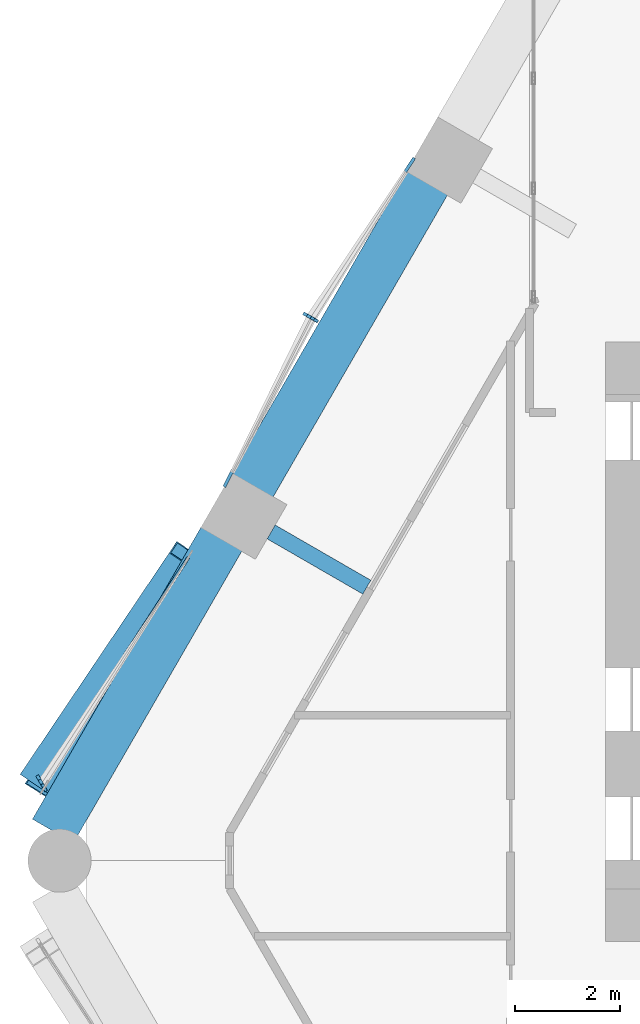
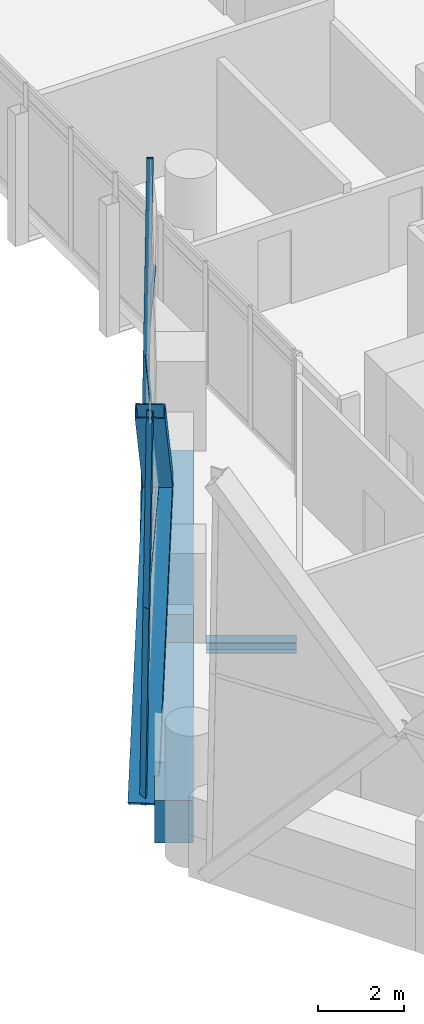
# One storey, part 16 of 38: 9 members, 3 beams, 2 elements without a shape of their own.
"""IFC4 building model written with IfcOpenShell, lengths in metres."""

from ifc_helpers import new_model, si_unit, direction, frame, origin, origin_2d, place, context, subcontext, project, spatial, rectangle, hollow_rectangle, i_section, extrude, material, material_profile, profile_set, type_object, element, aggregate, save


model = new_model("IFC4")

# Units and contexts
model_context = context("Model", 3, precision=1e-05, world=origin(), true_north=direction((0.0, 1.0)))
body_context = subcontext(model_context, "Body", "Model", "MODEL_VIEW")
ifc_project = project(units=[si_unit("LENGTHUNIT", "METRE"), si_unit("AREAUNIT", "SQUARE_METRE"), si_unit("VOLUMEUNIT", "CUBIC_METRE"), si_unit("PLANEANGLEUNIT", "RADIAN"), si_unit("MASSUNIT", "GRAM", prefix="KILO")], contexts=[model_context])

# Site, building, storey
site_placement = place(None, origin())
site = spatial("IfcSite", under=ifc_project, at=site_placement, CompositionType="ELEMENT")
building_placement = place(site_placement, origin())
building = spatial("IfcBuilding", under=site, at=building_placement, Name="Ostrander Bayou Hotel Tower", CompositionType="ELEMENT")
storey_placement = place(building_placement, frame((0.0, 0.0, 96.75)))
storey = spatial("IfcBuildingStorey", under=building, at=storey_placement, Name="L24", CompositionType="ELEMENT", Elevation=96.75)

# Curtain wall, members
ifc_material_1 = material(Name="Aluminium and clear glass", Category="aluminium")
curtain_wall_type = type_object("IfcCurtainWallType", Name="CW-LAT lattice glazing", PredefinedType="NOTDEFINED", material=ifc_material_1)
curtain_wall_1_placement = place(storey_placement, origin())
curtain_wall_1 = element("IfcCurtainWall", 1, at=curtain_wall_1_placement, inside=storey, type_object=curtain_wall_type, Name="CW-LAT L24 NW 1", PredefinedType="NOTDEFINED")
ifc_material_2 = material(Name="Aluminium", Category="aluminium")
ifc_material_profile_1 = material_profile(ifc_material_2, hollow_rectangle(XDim=0.06005859375, YDim=0.159912109375, WallThickness=0.00390625, at=origin_2d()))
ifc_profile_set_1 = profile_set([ifc_material_profile_1], Name="Aluminium")
member_type_1 = type_object("IfcMemberType", Name="CW-LA mullion 60 x 160 mm", PredefinedType="MULLION", material=ifc_profile_set_1)
member_1_placement = place(storey_placement, frame((-17.67236328125, 10.203125, -0.60009765625), z_axis=(0.012585478078, -0.007247499445, 0.999894534185), x_axis=(0.499032451057, 0.866583298242, 0.0)))
member_1 = element("IfcMember", 2, at=member_1_placement, type_object=member_type_1, Name="CW-LAT mullion 1", PredefinedType="MULLION", context=body_context, shape_type="SweptSolid", body=[
    extrude(hollow_rectangle(XDim=0.06005859375, YDim=0.159912109375, WallThickness=0.00390625, at=origin_2d()), origin(), (0.0, 0.0, 1.0), 5.62548828125),
])
member_2_placement = place(storey_placement, frame((-17.6015625, 10.162353515625, 5.02490234375), z_axis=(0.012585474108, -0.007290895345, 0.999894218748), x_axis=(0.501271486133, 0.865290065348, 0.0)))
member_2 = element("IfcMember", 3, at=member_2_placement, type_object=member_type_1, Name="CW-LAT mullion 2", PredefinedType="MULLION", context=body_context, shape_type="SweptSolid", body=[
    extrude(hollow_rectangle(XDim=0.06005859375, YDim=0.159912109375, WallThickness=0.00390625, at=origin_2d()), origin(), (0.0, 0.0, 1.0), 5.62548828125),
])
member_3_placement = place(storey_placement, frame((-22.761962890625, 1.387939453125, -0.60009765625), z_axis=(0.008418945283, -0.014581266058, 0.999858243973), x_axis=(0.866013897511, 0.50001992892, 0.0)))
member_3 = element("IfcMember", 4, at=member_3_placement, type_object=member_type_1, Name="CW-LAT mullion 5", PredefinedType="MULLION", context=body_context, shape_type="SweptSolid", body=[
    extrude(hollow_rectangle(XDim=0.06005859375, YDim=0.159912109375, WallThickness=0.00390625, at=origin_2d()), origin(), (0.0, 0.0, 1.0), 5.625732421875),
])
member_4_placement = place(storey_placement, frame((-22.714599609375, 1.305908203125, 5.02490234375), z_axis=(0.008375557002, -0.014537883916, 0.999859240081), x_axis=(0.866486855147, 0.499199889682, 0.0)))
member_4 = element("IfcMember", 5, at=member_4_placement, type_object=member_type_1, Name="CW-LAT mullion 6", PredefinedType="MULLION", context=body_context, shape_type="SweptSolid", body=[
    extrude(hollow_rectangle(XDim=0.06005859375, YDim=0.159912109375, WallThickness=0.00390625, at=origin_2d()), origin(), (0.0, 0.0, 1.0), 5.625732421875),
])
aggregate(curtain_wall_1, [member_1, member_2, member_3, member_4])

curtain_wall_2_placement = place(storey_placement, origin())
curtain_wall_2 = element("IfcCurtainWall", 6, at=curtain_wall_2_placement, inside=storey, type_object=curtain_wall_type, Name="CW-LAT L24 NW 2", PredefinedType="NOTDEFINED")
ifc_material_3 = material(Name="Aluminium", Category="aluminium")
ifc_material_profile_2 = material_profile(ifc_material_3, hollow_rectangle(XDim=0.06005859375, YDim=0.1201171875, WallThickness=0.00390625, at=origin_2d()))
ifc_profile_set_2 = profile_set([ifc_material_profile_2], Name="Aluminium")
member_type_2 = type_object("IfcMemberType", Name="CW-LA transom 60 x 120 mm", PredefinedType="USERDEFINED", material=ifc_profile_set_2)
member_5_placement = place(storey_placement, frame((-17.6015625, 10.162353515625, 5.02490234375), z_axis=(0.54442763221, 0.838807816658, 0.0), x_axis=(-0.838807816658, 0.54442763221, 0.0)))
member_5 = element("IfcMember", 7, at=member_5_placement, type_object=member_type_2, Name="CW-LAT transom 3", ObjectType="TRANSOM", PredefinedType="USERDEFINED", context=body_context, shape_type="SweptSolid", body=[
    extrude(hollow_rectangle(XDim=0.06005859375, YDim=0.1201171875, WallThickness=0.00390625, at=origin_2d()), origin(), (0.0, 0.0, 1.0), 3.612548828125),
])
member_6_placement = place(storey_placement, frame((-17.6015625, 10.162353515625, 5.02490234375), z_axis=(-0.45422635194, -0.890886312165, 0.0), x_axis=(0.890886312165, -0.45422635194, 0.0)))
member_6 = element("IfcMember", 8, at=member_6_placement, type_object=member_type_2, Name="CW-LAT transom 4", ObjectType="TRANSOM", PredefinedType="USERDEFINED", context=body_context, shape_type="SweptSolid", body=[
    extrude(hollow_rectangle(XDim=0.06005859375, YDim=0.1201171875, WallThickness=0.00390625, at=origin_2d()), origin(), (0.0, 0.0, 1.0), 3.613525390625),
])
member_7_placement = place(storey_placement, frame((-22.714599609375, 1.305908203125, 5.02490234375), z_axis=(0.544425102286, 0.838809458698, 0.0), x_axis=(-0.838809458698, 0.544425102286, 0.0)))
member_7 = element("IfcMember", 9, at=member_7_placement, type_object=member_type_2, Name="CW-LAT transom 7", ObjectType="TRANSOM", PredefinedType="USERDEFINED", context=body_context, shape_type="SweptSolid", body=[
    extrude(hollow_rectangle(XDim=0.06005859375, YDim=0.1201171875, WallThickness=0.00390625, at=origin_2d()), origin(), (0.0, 0.0, 1.0), 5.120361328125),
])
aggregate(curtain_wall_2, [member_5, member_6, member_7])

# Beam
ifc_material_4 = material(Name="Steel ASTM A992", Category="steel")
ifc_material_profile_3 = material_profile(ifc_material_4, i_section(OverallWidth=0.3046875, OverallDepth=0.307861328125, WebThickness=0.010009765625, FlangeThickness=0.015380859375, at=origin_2d()))
ifc_profile_set_3 = profile_set([ifc_material_profile_3], Name="Steel ASTM A992")
beam_type_1 = type_object("IfcBeamType", Name="LB1 loggia bracket W12x65", PredefinedType="BEAM", material=ifc_profile_set_3)
beam_1_placement = place(storey_placement, frame((-18.352783203125, 6.084716796875, -0.453857421875), z_axis=(0.866059744384, -0.49994051562, 0.0), x_axis=(0.49994051562, 0.866059744384, 0.0)))
element("IfcBeam", 10, at=beam_1_placement, inside=storey, type_object=beam_type_1, Name="LB1 L24 NW2", PredefinedType="BEAM", context=body_context, shape_type="SweptSolid", body=[
    extrude(i_section(OverallWidth=0.3046875, OverallDepth=0.307861328125, WebThickness=0.010009765625, FlangeThickness=0.015380859375, at=origin_2d()), origin(), (0.0, 0.0, 1.0), 2.099853515625),
])

# Members
ifc_material_5 = material(Name="Steel ASTM A572 Gr 50", Category="steel")
ifc_material_profile_4 = material_profile(ifc_material_5, hollow_rectangle(XDim=0.699951171875, YDim=0.35009765625, WallThickness=0.02490234375, at=origin_2d()))
ifc_profile_set_4 = profile_set([ifc_material_profile_4], Name="Steel ASTM A572 Gr 50")
member_type_3 = type_object("IfcMemberType", Name="LT1 lattice member box 700 x 350 x 25 mm", PredefinedType="BRACE", material=ifc_profile_set_4)
member_8_placement = place(storey_placement, frame((-19.927001953125, 5.600830078125, 5.02490234375), z_axis=(-0.374104135202, -0.555937044183, -0.742280337157), x_axis=(0.829645990649, -0.558289826345, 0.0)))
element("IfcMember", 11, at=member_8_placement, inside=storey, type_object=member_type_3, Name="LT1 L24 NW 1", PredefinedType="BRACE", context=body_context, shape_type="SweptSolid", body=[
    extrude(hollow_rectangle(XDim=0.699951171875, YDim=0.35009765625, WallThickness=0.02490234375, at=origin_2d()), origin(), (0.0, 0.0, 1.0), 7.577880859375),
])
member_9_placement = place(storey_placement, frame((-19.927001953125, 5.600830078125, 5.02490234375), z_axis=(-0.358895637818, -0.573177915293, 0.73665527798), x_axis=(0.847559759321, -0.53069996644, 0.0)))
element("IfcMember", 12, at=member_9_placement, inside=storey, type_object=member_type_3, Name="LT1 L24 NW 2", PredefinedType="BRACE", context=body_context, shape_type="SweptSolid", body=[
    extrude(hollow_rectangle(XDim=0.699951171875, YDim=0.35009765625, WallThickness=0.02490234375, at=origin_2d()), origin(), (0.0, 0.0, 1.0), 7.635986328125),
])

# Beams
ifc_material_6 = material(Name="Concrete f'c 70 MPa", Category="concrete")
ifc_material_profile_5 = material_profile(ifc_material_6, rectangle(XDim=0.89990234375, YDim=1.199951171875, at=origin_2d()))
ifc_profile_set_5 = profile_set([ifc_material_profile_5], Name="Concrete f'c 70 MPa")
beam_type_2 = type_object("IfcBeamType", Name="SP2 spandrel beam 900 x 1200 mm f'c 70 MPa", PredefinedType="SPANDREL", material=ifc_profile_set_5)
beam_2_placement = place(storey_placement, frame((-15.380615234375, 12.73291015625, -0.60009765625), z_axis=(-0.499999023957, -0.866025967302, 0.0), x_axis=(0.866025967302, -0.499999023957, 0.0)))
element("IfcBeam", 13, at=beam_2_placement, inside=storey, type_object=beam_type_2, Name="SP2 L24 NW-2", PredefinedType="SPANDREL", context=body_context, shape_type="SweptSolid", body=[
    extrude(rectangle(XDim=0.89990234375, YDim=1.199951171875, at=origin_2d()), origin(), (0.0, 0.0, 1.0), 6.67333984375),
])
beam_3_placement = place(storey_placement, frame((-19.287109375, 5.96630859375, -0.60009765625), z_axis=(-0.500011789842, -0.866018596809, 0.0), x_axis=(0.866018596809, -0.500011789842, 0.0)))
element("IfcBeam", 14, at=beam_3_placement, inside=storey, type_object=beam_type_2, Name="SP2 L24 NW-3", PredefinedType="SPANDREL", context=body_context, shape_type="SweptSolid", body=[
    extrude(rectangle(XDim=0.89990234375, YDim=1.199951171875, at=origin_2d()), origin(), (0.0, 0.0, 1.0), 6.427490234375),
])

save(model, "model.ifc")
